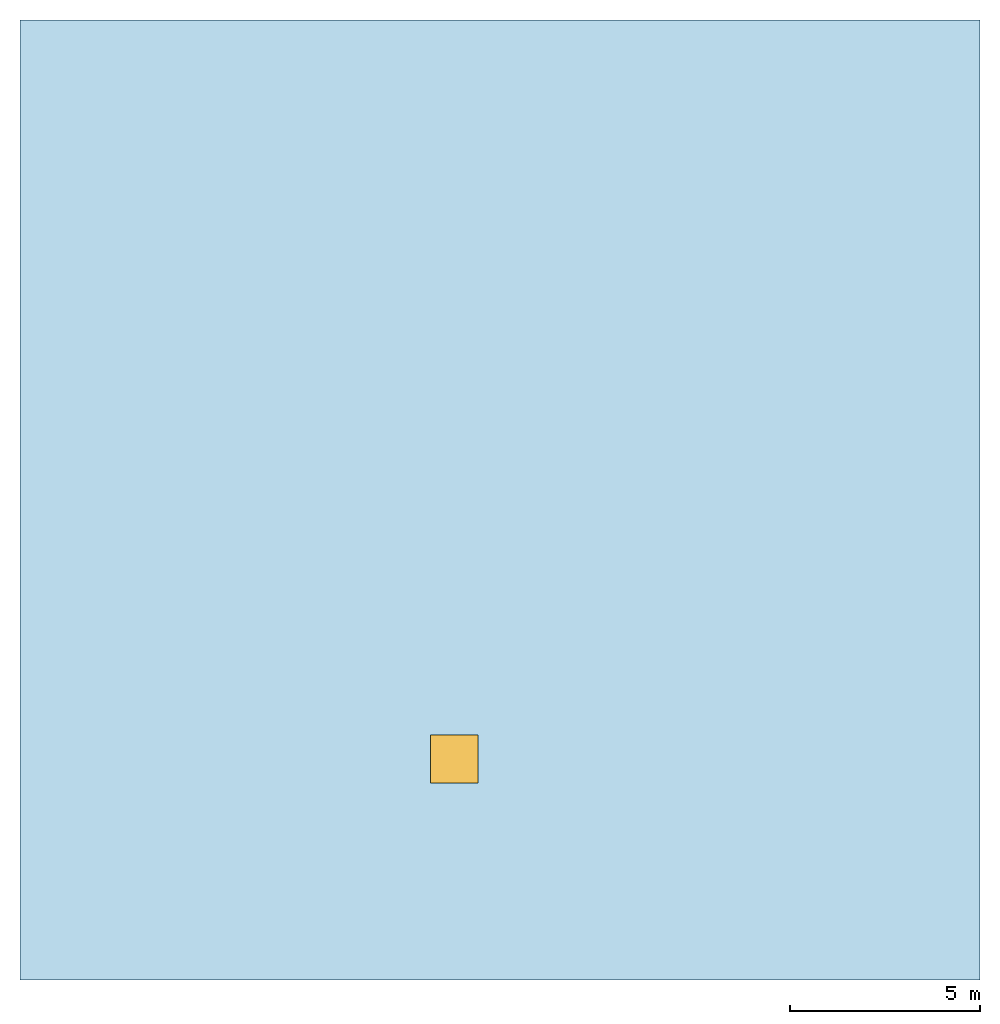
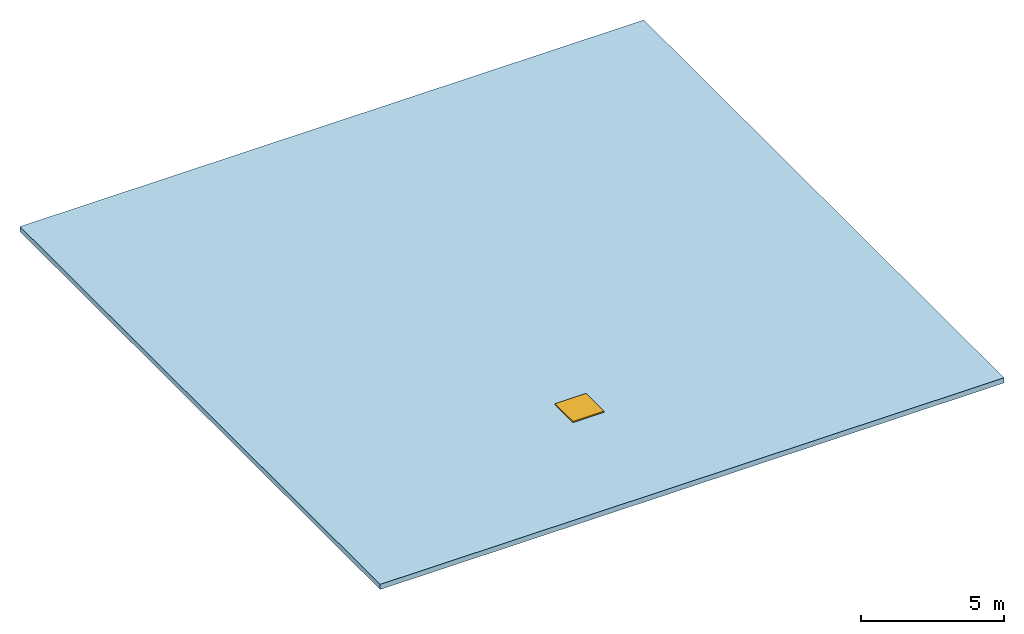
"""IFC4 building model written with IfcOpenShell, lengths in metres."""

from ifc_helpers import new_model, si_unit, direction, frame, origin, origin_2d, place, context, subcontext, project, spatial, polyline, rectangle, outline, extrude, material, layer, layer_set, type_object, element, fill, aggregate, save


model = new_model("IFC4")

# Units and contexts
model_context = context("Model", 3, precision=1e-05, world=origin(), true_north=direction((0.0, 1.0)))
body_context = subcontext(model_context, "Body", "Model", "MODEL_VIEW")
ifc_project = project(units=[si_unit("LENGTHUNIT", "METRE"), si_unit("AREAUNIT", "SQUARE_METRE"), si_unit("VOLUMEUNIT", "CUBIC_METRE"), si_unit("PLANEANGLEUNIT", "RADIAN"), si_unit("MASSUNIT", "GRAM", prefix="KILO")], contexts=[model_context])

# Site, building, storey
site_placement = place(None, origin())
site = spatial("IfcSite", under=ifc_project, at=site_placement, CompositionType="ELEMENT")
building_placement = place(site_placement, origin())
building = spatial("IfcBuilding", under=site, at=building_placement, Name="Almacenes y Pasaje Nevantli", CompositionType="ELEMENT")
storey_1_placement = place(building_placement, frame((0.0, 0.0, 74.780029296875)))
storey_1 = spatial("IfcBuildingStorey", under=building, at=storey_1_placement, Name="ROOF", CompositionType="ELEMENT", Elevation=74.780029296875)

# Roof, slab, opening
ifc_material_1 = material(Name="Concrete C35/45", Category="concrete")
roof_type = type_object("IfcRoofType", Name="ROOF-FLAT-DECK", PredefinedType="FLAT_ROOF", material=ifc_material_1)
roof_placement = place(storey_1_placement, origin())
roof = element("IfcRoof", 1, at=roof_placement, inside=storey_1, type_object=roof_type, Name="Tower Crown Flat Roof Assembly", PredefinedType="FLAT_ROOF")
ifc_material_2 = material(Name="Concrete C35/45", Category="concrete")
ifc_layer = layer(ifc_material_2, 0.219970703125)
ifc_layer_set = layer_set([ifc_layer], Name="Concrete C35/45")
slab_type = type_object("IfcSlabType", Name="SLB-ROOF-220", PredefinedType="ROOF", material=ifc_layer_set)
slab_placement = place(storey_1_placement, origin())
slab = element("IfcSlab", 2, at=slab_placement, type_object=slab_type, Name="Tower Crown Flat Roof Slab", PredefinedType="ROOF", context=body_context, shape_type="SweptSolid", body=[
    extrude(outline(polyline([(117.60009765625, 67.199951171875), (142.800048828125, 67.199951171875), (142.800048828125, 92.39990234375), (117.60009765625, 92.39990234375), (117.60009765625, 67.199951171875)])), origin(), (0.0, 0.0, 1.0), 0.219970703125),
])
opening_placement = place(slab_placement, frame((129.0, 73.0, -0.010009765625)))
opening = element("IfcOpeningElement", 3, at=opening_placement, cuts=slab, Name="Opening HT-006", PredefinedType="OPENING", context=body_context, shape_type="SweptSolid", body=[
    extrude(rectangle(XDim=1.25, YDim=1.25, at=origin_2d()), origin(), (0.0, 0.0, 1.0), 0.2900390625),
])

# Storey
storey_2_placement = place(building_placement, frame((0.0, 0.0, 66.699951171875)))
storey_2 = spatial("IfcBuildingStorey", under=building, at=storey_2_placement, Name="L16", CompositionType="ELEMENT", Elevation=66.699951171875)

# Door
ifc_material_3 = material(Name="Galvanized Insulated Steel", Category="steel")
door_type = type_object("IfcDoorType", Name="DR-HATCH-1250", OperationType="SINGLE_SWING_LEFT", PredefinedType="TRAPDOOR", material=ifc_material_3)
door_placement = place(slab_placement, frame((129.0, 73.0, 0.219970703125)))
door = element("IfcDoor", 4, at=door_placement, inside=storey_2, type_object=door_type, Name="L16 Crown Flat Roof Access Hatch", OperationType="SINGLE_SWING_LEFT", OverallHeight=1.25, OverallWidth=1.25, PredefinedType="TRAPDOOR", context=body_context, shape_type="SweptSolid", body=[
    extrude(rectangle(XDim=1.25, YDim=1.25, at=origin_2d()), origin(), (0.0, 0.0, 1.0), 0.050048828125),
])

fill(opening, door)

aggregate(roof, [slab])

save(model, "model.ifc")
